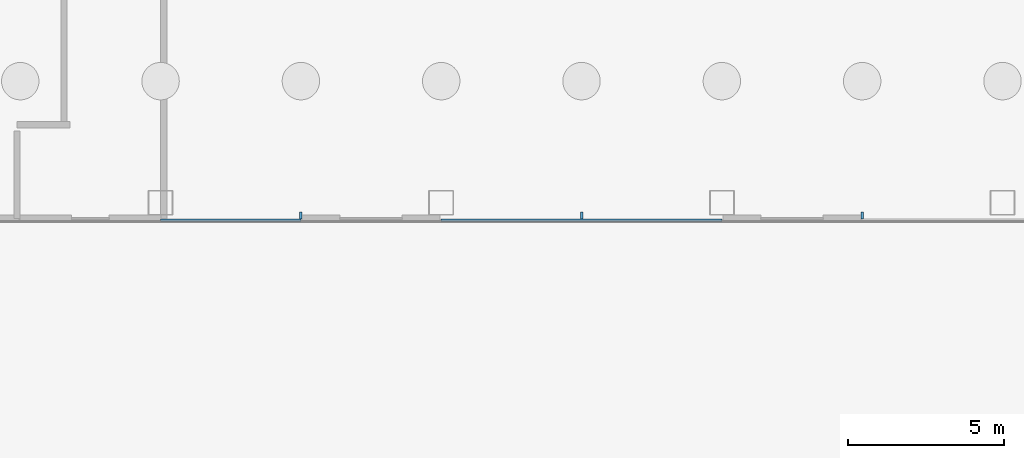
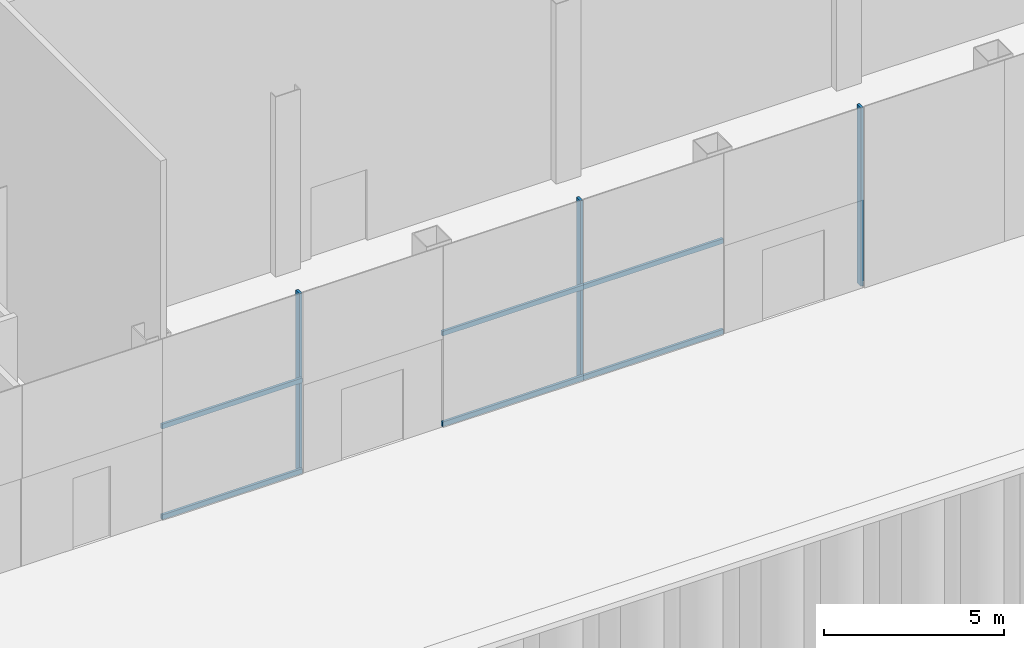
# One storey, part 8 of 37: 7 members, 1 element without a shape of its own.
"""IFC4 building model written with IfcOpenShell, lengths in metres."""

import ifcopenshell
import ifcopenshell.guid

model = None  # the IFC model being written
_history = None  # IfcOwnerHistory: only IFC2X3 demands one
_inside = {}  # id of a spatial element -> (the spatial element, [elements in it])
_under = {}  # id of a project, library or spatial element -> (it, [spatial elements below it])
_declared = {}  # id of a project -> (the project, [libraries it declares])
_typed = {}  # id of a type object -> (the type object, [elements of that type])
_made_of = {}  # id of a material, layer set ... -> (it, [elements and type objects made of it])


def new_model(schema):
    """Start an empty IFC model of exactly this schema.

    Asked for "IFC4X3", IfcOpenShell would pick the latest addendum, in which some entities
    have other attributes; the version numbers below select the first issue.
    IFC2X3 requires an IfcOwnerHistory on every rooted entity: one is made here for all.
    """
    global model, _history
    if schema == "IFC4X3":
        model = ifcopenshell.file(schema_version=(4, 3, 0, 0))
    else:
        model = ifcopenshell.file(schema=schema)
    _inside.clear()
    _under.clear()
    _declared.clear()
    _typed.clear()
    _made_of.clear()
    _history = None
    if model.schema == "IFC2X3":
        org = make("IfcOrganization", Name="unknown")
        user = make(
            "IfcPersonAndOrganization",
            ThePerson=make("IfcPerson", FamilyName="unknown"),
            TheOrganization=org,
        )
        app = make(
            "IfcApplication",
            ApplicationDeveloper=org,
            Version="unknown",
            ApplicationFullName="unknown",
            ApplicationIdentifier="unknown",
        )
        _history = make(
            "IfcOwnerHistory",
            OwningUser=user,
            OwningApplication=app,
            ChangeAction="ADDED",
            CreationDate=0,
        )
    return model


def make(cls, **values):
    """One entity of the class cls with the attributes given. An attribute that is None is left unset."""
    return model.create_entity(
        cls, **{name: value for name, value in values.items() if value is not None}
    )


def rooted(cls, **values):
    """An entity with a GlobalId (a new one), such as an element, a storey or a relation."""
    return make(cls, GlobalId=ifcopenshell.guid.new(), OwnerHistory=_history, **values)


def si_unit(unit_type, name, prefix=None):
    """IfcSIUnit, for example si_unit("LENGTHUNIT", "METRE", prefix="MILLI")."""
    return make("IfcSIUnit", UnitType=unit_type, Prefix=prefix, Name=name)


def assignment(units):
    """IfcUnitAssignment: the units of a project."""
    return None if units is None else make("IfcUnitAssignment", Units=units)


def point(xyz):
    """IfcCartesianPoint."""
    return None if xyz is None else make("IfcCartesianPoint", Coordinates=xyz)


def direction(xyz):
    """IfcDirection."""
    return None if xyz is None else make("IfcDirection", DirectionRatios=xyz)


def frame(location, z_axis=None, x_axis=None):
    """IfcAxis2Placement3D, a coordinate frame: its origin and axes. An axis left out is left unset."""
    return make(
        "IfcAxis2Placement3D",
        Location=point(location),
        Axis=direction(z_axis),
        RefDirection=direction(x_axis),
    )


def frame_2d(location, x_axis=None):
    """IfcAxis2Placement2D, a coordinate frame in the plane: its origin and x axis."""
    return make(
        "IfcAxis2Placement2D", Location=point(location), RefDirection=direction(x_axis)
    )


def origin():
    """The frame at (0, 0, 0) with its axes left unset."""
    return frame((0.0, 0.0, 0.0))


def origin_2d():
    """The frame at (0, 0) in the plane with its x axis left unset."""
    return frame_2d((0.0, 0.0))


def place(relative_to, where):
    """IfcLocalPlacement: puts the frame where relative to a parent placement (None: the world)."""
    return make(
        "IfcLocalPlacement", PlacementRelTo=relative_to, RelativePlacement=where
    )


def context(
    kind, dimensions, precision=None, world=None, true_north=None, identifier=None
):
    """IfcGeometricRepresentationContext, for example the 3D "Model" context."""
    return make(
        "IfcGeometricRepresentationContext",
        ContextIdentifier=identifier,
        ContextType=kind,
        CoordinateSpaceDimension=dimensions,
        Precision=precision,
        WorldCoordinateSystem=world,
        TrueNorth=true_north,
    )


def subcontext(parent, identifier, kind, view, scale=None):
    """IfcGeometricRepresentationSubContext, for example "Body" below "Model"."""
    return make(
        "IfcGeometricRepresentationSubContext",
        ContextIdentifier=identifier,
        ContextType=kind,
        ParentContext=parent,
        TargetScale=scale,
        TargetView=view,
    )


def project(units=None, contexts=None):
    """IfcProject with its units and contexts."""
    return rooted(
        "IfcProject",
        Name="project",
        RepresentationContexts=contexts,
        UnitsInContext=assignment(units),
    )


def spatial(cls, under=None, at=None, **own):
    """A site, building, storey or space (cls), placed at a placement, below another one or the project."""
    s = rooted(cls, ObjectPlacement=at, **own)
    if under is not None:
        _under.setdefault(under.id(), (under, []))[1].append(s)
    return s


def profile(cls, at=None, kind="AREA", **sizes):
    """A parametric profile (cls). Its sizes go by their IFC names, for example OverallWidth=200.0."""
    return make(cls, ProfileType=kind, Position=at, **sizes)


def rectangle(**sizes):
    """IfcRectangleProfileDef."""
    return profile("IfcRectangleProfileDef", **sizes)


def extrude(swept, where, along, depth):
    """IfcExtrudedAreaSolid: the profile swept, set in the frame where, extruded along a direction by depth."""
    return make(
        "IfcExtrudedAreaSolid",
        SweptArea=swept,
        Position=where,
        ExtrudedDirection=direction(along),
        Depth=depth,
    )


def shape(context_of_items, identifier, shape_type, items):
    """IfcShapeRepresentation: the items that make up one representation, for example the "Body"."""
    return make(
        "IfcShapeRepresentation",
        ContextOfItems=context_of_items,
        RepresentationIdentifier=identifier,
        RepresentationType=shape_type,
        Items=items,
    )


def material(Name=None, Category=None):
    """IfcMaterial."""
    return make("IfcMaterial", Name=Name, Category=Category)


def layer(
    of_material, thickness, ventilated=None, Name=None, Category=None, Priority=None
):
    """IfcMaterialLayer: one layer of a wall or slab, of a material (None: an air gap)."""
    return make(
        "IfcMaterialLayer",
        Material=of_material,
        LayerThickness=thickness,
        IsVentilated=ventilated,
        Name=Name,
        Category=Category,
        Priority=Priority,
    )


def layer_set(layers, Name=None):
    """IfcMaterialLayerSet."""
    return make("IfcMaterialLayerSet", MaterialLayers=layers, LayerSetName=Name)


def material_profile(
    of_material, cross_section, Name=None, Category=None, Priority=None
):
    """IfcMaterialProfile: a cross section and its material."""
    return make(
        "IfcMaterialProfile",
        Name=Name,
        Material=of_material,
        Profile=cross_section,
        Priority=Priority,
        Category=Category,
    )


def profile_set(profiles, Name=None, composite=None):
    """IfcMaterialProfileSet."""
    return make(
        "IfcMaterialProfileSet",
        Name=Name,
        MaterialProfiles=profiles,
        CompositeProfile=composite,
    )


def made_of(thing, what):
    """Note that an element or type object is made of a material, layer set ...; save() writes the relation."""
    if what is not None:
        _made_of.setdefault(what.id(), (what, []))[1].append(thing)
    return thing


def type_object(cls, material=None, **own):
    """A type object (cls), such as IfcWallType, which elements share."""
    return made_of(rooted(cls, **own), material)


def element(
    cls,
    number,
    at=None,
    inside=None,
    cuts=None,
    type_object=None,
    material=None,
    context=None,
    identifier="Body",
    shape_type=None,
    held_by="IfcProductDefinitionShape",
    body=None,
    shapes=None,
    **own,
):
    """One element of the class cls, such as IfcWall. Its Tag is "e" and its number.

    at: its placement. inside: the storey or other place that contains it. cuts: it is an
    opening in that element (IfcRelVoidsElement). A single representation is given by context,
    identifier, shape_type and body (its items); several are given by shapes. held_by: the class
    of the entity that holds the representations. save() writes the other relations.
    """
    e = rooted(cls, Tag="e%d" % number, ObjectPlacement=at, **own)
    if body is not None:
        shapes = [shape(context, identifier, shape_type, body)]
    if shapes is not None:
        e.Representation = make(held_by, Representations=shapes)
    if inside is not None:
        _inside.setdefault(inside.id(), (inside, []))[1].append(e)
    if cuts is not None:
        rooted(
            "IfcRelVoidsElement", RelatingBuildingElement=cuts, RelatedOpeningElement=e
        )
    if type_object is not None:
        _typed.setdefault(type_object.id(), (type_object, []))[1].append(e)
    return made_of(e, material)


def aggregate(whole, parts):
    """IfcRelAggregates: a whole, such as a stair, and the parts it consists of."""
    return rooted("IfcRelAggregates", RelatingObject=whole, RelatedObjects=parts)


def save(model, path):
    """Write the relations noted so far, then the file.

    IfcRelAggregates (storeys below a building ...), IfcRelContainedInSpatialStructure (elements
    in a storey), IfcRelDefinesByType, IfcRelAssociatesMaterial and IfcRelDeclares: one each for
    every whole, place, type object, material and project.
    """
    for whole, parts in _under.values():
        aggregate(whole, parts)
    for where, things in _inside.values():
        rooted(
            "IfcRelContainedInSpatialStructure",
            RelatedElements=things,
            RelatingStructure=where,
        )
    for kind, things in _typed.values():
        rooted("IfcRelDefinesByType", RelatedObjects=things, RelatingType=kind)
    for what, things in _made_of.values():
        rooted("IfcRelAssociatesMaterial", RelatedObjects=things, RelatingMaterial=what)
    for by, libraries in _declared.values():
        rooted("IfcRelDeclares", RelatingContext=by, RelatedDefinitions=libraries)
    model.write(path)


model = new_model("IFC4")

# Units and contexts
model_context = context("Model", 3, precision=1e-05, world=origin(), true_north=direction((0.0, 1.0)))
body_context = subcontext(model_context, "Body", "Model", "MODEL_VIEW")
ifc_project = project(units=[si_unit("LENGTHUNIT", "METRE"), si_unit("AREAUNIT", "SQUARE_METRE"), si_unit("VOLUMEUNIT", "CUBIC_METRE"), si_unit("PLANEANGLEUNIT", "RADIAN"), si_unit("MASSUNIT", "GRAM", prefix="KILO")], contexts=[model_context])

# Site, building, storey
site_placement = place(None, origin())
site = spatial("IfcSite", under=ifc_project, at=site_placement, CompositionType="ELEMENT")
building_placement = place(site_placement, origin())
building = spatial("IfcBuilding", under=site, at=building_placement, Name="Shamsa Quay Exchange Towers", CompositionType="ELEMENT")
storey_placement = place(building_placement, origin())
storey = spatial("IfcBuildingStorey", under=building, at=storey_placement, Name="L00", CompositionType="ELEMENT", Elevation=0.0)

# Curtain wall, members
ifc_material = material(Name="Aluminium EN AW-6063 T6, black anodised", Category="aluminium")
ifc_layer = layer(ifc_material, 0.33203125)
ifc_layer_set = layer_set([ifc_layer], Name="CW-3 PODIUM SHOPFRONT GLAZING")
curtain_wall_type = type_object("IfcCurtainWallType", Name="CW-3 PODIUM SHOPFRONT GLAZING", PredefinedType="NOTDEFINED", material=ifc_layer_set)
curtain_wall_placement = place(storey_placement, origin())
curtain_wall = element("IfcCurtainWall", 1, at=curtain_wall_placement, inside=storey, type_object=curtain_wall_type, Name="CW3 PODIUM-L00-F03", PredefinedType="NOTDEFINED")
ifc_material_profile_1 = material_profile(ifc_material, rectangle(XDim=0.219970703125, YDim=0.080078125, at=origin_2d()), Name="MU80x220")
ifc_profile_set_1 = profile_set([ifc_material_profile_1], Name="Aluminium EN AW-6063 T6, black anodised")
member_type_1 = type_object("IfcMemberType", Name="CW3 MULLION 80x220", PredefinedType="MULLION", material=ifc_profile_set_1)
member_1_placement = place(storey_placement, frame((-22.5, -38.06005859375, 0.0), z_axis=(0.0, 0.0, 1.0), x_axis=(0.0, 1.0, 0.0)))
member_1 = element("IfcMember", 2, at=member_1_placement, type_object=member_type_1, Name="CW3 mullion", PredefinedType="MULLION", context=body_context, shape_type="SweptSolid", body=[
    extrude(rectangle(XDim=0.219970703125, YDim=0.080078125, at=origin_2d()), origin(), (0.0, 0.0, 1.0), 6.050048828125),
])
member_2_placement = place(storey_placement, frame((-13.5, -38.06005859375, 0.0), z_axis=(0.0, 0.0, 1.0), x_axis=(0.0, 1.0, 0.0)))
member_2 = element("IfcMember", 3, at=member_2_placement, type_object=member_type_1, Name="CW3 mullion", PredefinedType="MULLION", context=body_context, shape_type="SweptSolid", body=[
    extrude(rectangle(XDim=0.219970703125, YDim=0.080078125, at=origin_2d()), origin(), (0.0, 0.0, 1.0), 6.050048828125),
])
member_3_placement = place(storey_placement, frame((-4.5, -38.06005859375, 0.0), z_axis=(0.0, 0.0, 1.0), x_axis=(0.0, 1.0, 0.0)))
member_3 = element("IfcMember", 4, at=member_3_placement, type_object=member_type_1, Name="CW3 mullion", PredefinedType="MULLION", context=body_context, shape_type="SweptSolid", body=[
    extrude(rectangle(XDim=0.219970703125, YDim=0.080078125, at=origin_2d()), origin(), (0.0, 0.0, 1.0), 6.050048828125),
])
ifc_material_profile_2 = material_profile(ifc_material, rectangle(XDim=0.080078125, YDim=0.159912109375, at=origin_2d()), Name="TR160x80")
ifc_profile_set_2 = profile_set([ifc_material_profile_2], Name="Aluminium EN AW-6063 T6, black anodised")
member_type_2 = type_object("IfcMemberType", Name="CW3 TRANSOM 160x80", PredefinedType="USERDEFINED", material=ifc_profile_set_2)
member_4_placement = place(storey_placement, frame((-27.0, -38.2099609375, 0.080078125), z_axis=(1.0, 0.0, 0.0), x_axis=(0.0, 1.0, 0.0)))
member_4 = element("IfcMember", 5, at=member_4_placement, type_object=member_type_2, Name="CW3 transom", ObjectType="TRANSOM", PredefinedType="USERDEFINED", context=body_context, shape_type="SweptSolid", body=[
    extrude(rectangle(XDim=0.080078125, YDim=0.159912109375, at=origin_2d()), origin(), (0.0, 0.0, 1.0), 4.5),
])
member_5_placement = place(storey_placement, frame((-27.0, -38.2099609375, 3.155029296875), z_axis=(1.0, 0.0, 0.0), x_axis=(0.0, 1.0, 0.0)))
member_5 = element("IfcMember", 6, at=member_5_placement, type_object=member_type_2, Name="CW3 transom", ObjectType="TRANSOM", PredefinedType="USERDEFINED", context=body_context, shape_type="SweptSolid", body=[
    extrude(rectangle(XDim=0.080078125, YDim=0.159912109375, at=origin_2d()), origin(), (0.0, 0.0, 1.0), 4.5),
])
member_6_placement = place(storey_placement, frame((-18.0, -38.2099609375, 0.080078125), z_axis=(1.0, 0.0, 0.0), x_axis=(0.0, 1.0, 0.0)))
member_6 = element("IfcMember", 7, at=member_6_placement, type_object=member_type_2, Name="CW3 transom", ObjectType="TRANSOM", PredefinedType="USERDEFINED", context=body_context, shape_type="SweptSolid", body=[
    extrude(rectangle(XDim=0.080078125, YDim=0.159912109375, at=origin_2d()), origin(), (0.0, 0.0, 1.0), 9.0),
])
member_7_placement = place(storey_placement, frame((-18.0, -38.2099609375, 3.155029296875), z_axis=(1.0, 0.0, 0.0), x_axis=(0.0, 1.0, 0.0)))
member_7 = element("IfcMember", 8, at=member_7_placement, type_object=member_type_2, Name="CW3 transom", ObjectType="TRANSOM", PredefinedType="USERDEFINED", context=body_context, shape_type="SweptSolid", body=[
    extrude(rectangle(XDim=0.080078125, YDim=0.159912109375, at=origin_2d()), origin(), (0.0, 0.0, 1.0), 9.0),
])
aggregate(curtain_wall, [member_4, member_5, member_6, member_7, member_1, member_2, member_3])

save(model, "model.ifc")
